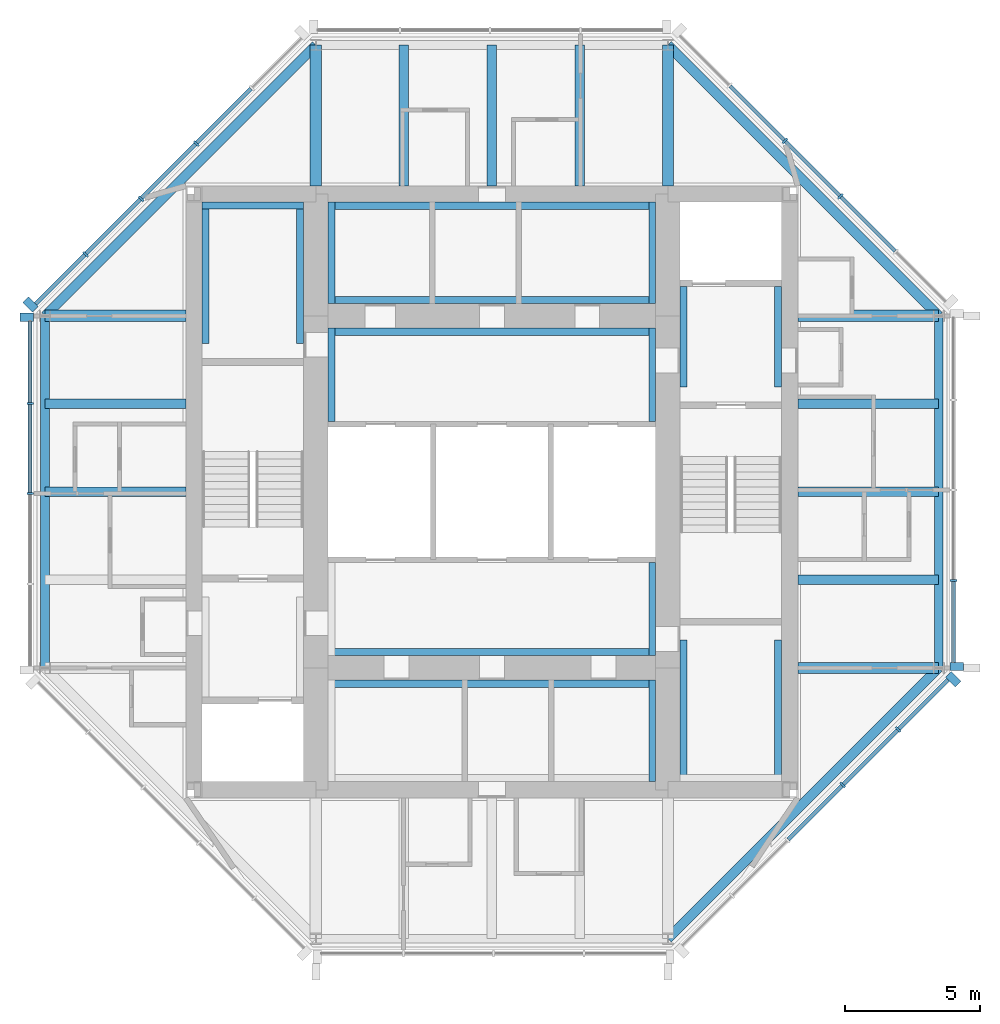
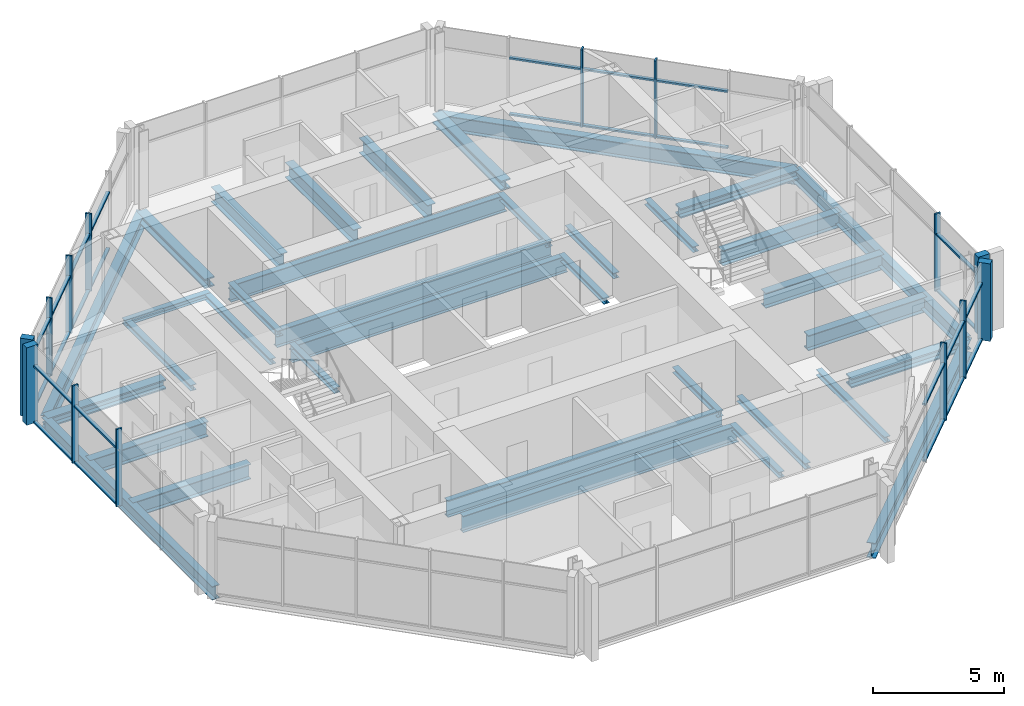
# One storey, part 2 of 9: 40 members, 36 beams, 5 elements without a shape of their own.
"""IFC4 building model written with IfcOpenShell, lengths in metres."""

from ifc_helpers import new_model, si_unit, direction, frame, origin, origin_2d, place, context, subcontext, project, spatial, rectangle, i_section, extrude, material, material_profile, profile_set, type_object, element, aggregate, save


model = new_model("IFC4")

# Units and contexts
model_context = context("Model", 3, precision=1e-05, world=origin(), true_north=direction((0.0, 1.0)))
body_context = subcontext(model_context, "Body", "Model", "MODEL_VIEW")
ifc_project = project(units=[si_unit("LENGTHUNIT", "METRE"), si_unit("AREAUNIT", "SQUARE_METRE"), si_unit("VOLUMEUNIT", "CUBIC_METRE"), si_unit("PLANEANGLEUNIT", "RADIAN"), si_unit("MASSUNIT", "GRAM", prefix="KILO")], contexts=[model_context])

# Site, building, storey
site_placement = place(None, origin())
site = spatial("IfcSite", under=ifc_project, at=site_placement, CompositionType="ELEMENT")
building_placement = place(site_placement, origin())
building = spatial("IfcBuilding", under=site, at=building_placement, Name="Trevanion Tower", CompositionType="ELEMENT")
storey_placement = place(building_placement, frame((0.0, 0.0, 277.60009765625)))
storey = spatial("IfcBuildingStorey", under=building, at=storey_placement, Name="L68", CompositionType="ELEMENT", Elevation=277.60009765625)

# Beams
ifc_material_1 = material(Name="Steel ASTM A992 Grade 50", Category="steel")
ifc_material_profile_1 = material_profile(ifc_material_1, i_section(OverallWidth=0.355712890625, OverallDepth=0.700927734375, WebThickness=0.016845703125, FlangeThickness=0.02734375, at=origin_2d()), Name="W27X161")
ifc_profile_set_1 = profile_set([ifc_material_profile_1], Name="Steel ASTM A992 Grade 50")
beam_type_1 = type_object("IfcBeamType", Name="B15 W27X161", PredefinedType="BEAM", material=ifc_profile_set_1)
for number, where, z_axis, x_axis, name in (
    (1, (11.300048828125, -3.25, -0.54052734375), (1.0, 0.0, 0.0), (0.0, 1.0, 0.0), "B15 L68"),
    (2, (11.300048828125, 0.0, -0.54052734375), (1.0, 0.0, 0.0), (0.0, 1.0, 0.0), "B15 L68"),
    (3, (11.300048828125, 3.25, -0.54052734375), (1.0, 0.0, 0.0), (0.0, 1.0, 0.0), "B15 L68"),
    (4, (3.25, 11.300048828125, -0.54052734375), (0.0, 1.0, 0.0), (-1.0, 0.0, 0.0), "B15 L68"),
    (5, (0.0, 11.300048828125, -0.54052734375), (0.0, 1.0, 0.0), (-1.0, 0.0, 0.0), "B15 L68"),
    (6, (-3.25, 11.300048828125, -0.54052734375), (0.0, 1.0, 0.0), (-1.0, 0.0, 0.0), "B15 L68"),
    (7, (-11.300048828125, 3.25, -0.54052734375), (-1.0, 0.0, 0.0), (0.0, -1.0, 0.0), "B15 L68"),
    (8, (-11.300048828125, 0.0, -0.54052734375), (-1.0, 0.0, 0.0), (0.0, -1.0, 0.0), "B15 L68"),
):
    element("IfcBeam", number, at=place(storey_placement, frame(where, z_axis=z_axis, x_axis=x_axis)), inside=storey, type_object=beam_type_1, Name=name, PredefinedType="BEAM", context=body_context, shape_type="SweptSolid", body=[
        extrude(i_section(OverallWidth=0.355712890625, OverallDepth=0.700927734375, WebThickness=0.016845703125, FlangeThickness=0.02734375, at=origin_2d()), origin(), (0.0, 0.0, 1.0), 5.199951171875),
    ])

# Curtain wall, member
ifc_material_2 = material(Name="Aluminium and glass", Category="aluminium")
curtain_wall_type = type_object("IfcCurtainWallType", Name="CW4 curtain wall", PredefinedType="USERDEFINED", material=ifc_material_2)
curtain_wall_1_placement = place(storey_placement, origin())
curtain_wall_1 = element("IfcCurtainWall", 9, at=curtain_wall_1_placement, inside=storey, type_object=curtain_wall_type, Name="CW4 L68 0", ObjectType="UNITISED CURTAIN WALL", PredefinedType="USERDEFINED")
ifc_material_3 = material(Name="Aluminium extrusion, anodised bronze", Category="aluminium")
ifc_material_profile_2 = material_profile(ifc_material_3, rectangle(XDim=0.074951171875, YDim=0.25, at=origin_2d()), Name="CW4 mullion")
ifc_profile_set_2 = profile_set([ifc_material_profile_2], Name="Aluminium extrusion, anodised bronze")
member_type_1 = type_object("IfcMemberType", Name="CW4 mullion", PredefinedType="MULLION", material=ifc_profile_set_2)
member_1_placement = place(storey_placement, frame((17.050048828125, -3.266357421875, -0.190185546875), z_axis=(0.0, 0.0, 1.0), x_axis=(0.0, 1.0, 0.0)))
member_1 = element("IfcMember", 10, at=member_1_placement, type_object=member_type_1, Name="CW4 mullion 2", PredefinedType="MULLION", context=body_context, shape_type="SweptSolid", body=[
    extrude(rectangle(XDim=0.074951171875, YDim=0.25, at=origin_2d()), origin(), (0.0, 0.0, 1.0), 3.60009765625),
])

# Curtain wall, members
curtain_wall_2_placement = place(storey_placement, origin())
curtain_wall_2 = element("IfcCurtainWall", 11, at=curtain_wall_2_placement, inside=storey, type_object=curtain_wall_type, Name="CW4 L68 1", ObjectType="UNITISED CURTAIN WALL", PredefinedType="USERDEFINED")
member_2_placement = place(storey_placement, frame((12.865966796875, 10.911865234375, -0.190185546875), z_axis=(0.0, 0.0, 1.0), x_axis=(-0.707106781187, 0.707106781187, 0.0)))
member_2 = element("IfcMember", 12, at=member_2_placement, type_object=member_type_1, Name="CW4 mullion 3", PredefinedType="MULLION", context=body_context, shape_type="SweptSolid", body=[
    extrude(rectangle(XDim=0.074951171875, YDim=0.25, at=origin_2d()), origin(), (0.0, 0.0, 1.0), 3.60009765625),
])
member_3_placement = place(storey_placement, frame((10.81982421875, 12.9580078125, -0.190185546875), z_axis=(0.0, 0.0, 1.0), x_axis=(-0.707106781187, 0.707106781187, 0.0)))
member_3 = element("IfcMember", 13, at=member_3_placement, type_object=member_type_1, Name="CW4 mullion 4", PredefinedType="MULLION", context=body_context, shape_type="SweptSolid", body=[
    extrude(rectangle(XDim=0.074951171875, YDim=0.25, at=origin_2d()), origin(), (0.0, 0.0, 1.0), 3.60009765625),
])

curtain_wall_3_placement = place(storey_placement, origin())
curtain_wall_3 = element("IfcCurtainWall", 14, at=curtain_wall_3_placement, inside=storey, type_object=curtain_wall_type, Name="CW4 L68 3", ObjectType="UNITISED CURTAIN WALL", PredefinedType="USERDEFINED")
member_4_placement = place(storey_placement, frame((-10.911865234375, 12.865966796875, -0.190185546875), z_axis=(0.0, 0.0, 1.0), x_axis=(-0.707106781187, -0.707106781187, 0.0)))
member_4 = element("IfcMember", 15, at=member_4_placement, type_object=member_type_1, Name="CW4 mullion 3", PredefinedType="MULLION", context=body_context, shape_type="SweptSolid", body=[
    extrude(rectangle(XDim=0.074951171875, YDim=0.25, at=origin_2d()), origin(), (0.0, 0.0, 1.0), 3.60009765625),
])
member_5_placement = place(storey_placement, frame((-12.9580078125, 10.81982421875, -0.190185546875), z_axis=(0.0, 0.0, 1.0), x_axis=(-0.707106781187, -0.707106781187, 0.0)))
member_5 = element("IfcMember", 16, at=member_5_placement, type_object=member_type_1, Name="CW4 mullion 4", PredefinedType="MULLION", context=body_context, shape_type="SweptSolid", body=[
    extrude(rectangle(XDim=0.074951171875, YDim=0.25, at=origin_2d()), origin(), (0.0, 0.0, 1.0), 3.60009765625),
])
member_6_placement = place(storey_placement, frame((-15.00390625, 8.77392578125, -0.190185546875), z_axis=(0.0, 0.0, 1.0), x_axis=(-0.707106781187, -0.707106781187, 0.0)))
member_6 = element("IfcMember", 17, at=member_6_placement, type_object=member_type_1, Name="CW4 mullion 5", PredefinedType="MULLION", context=body_context, shape_type="SweptSolid", body=[
    extrude(rectangle(XDim=0.074951171875, YDim=0.25, at=origin_2d()), origin(), (0.0, 0.0, 1.0), 3.60009765625),
])

curtain_wall_4_placement = place(storey_placement, origin())
curtain_wall_4 = element("IfcCurtainWall", 18, at=curtain_wall_4_placement, inside=storey, type_object=curtain_wall_type, Name="CW4 L68 4", ObjectType="UNITISED CURTAIN WALL", PredefinedType="USERDEFINED")
member_7_placement = place(storey_placement, frame((-17.050048828125, 3.266357421875, -0.190185546875), z_axis=(0.0, 0.0, 1.0), x_axis=(0.0, -1.0, 0.0)))
member_7 = element("IfcMember", 19, at=member_7_placement, type_object=member_type_1, Name="CW4 mullion 2", PredefinedType="MULLION", context=body_context, shape_type="SweptSolid", body=[
    extrude(rectangle(XDim=0.074951171875, YDim=0.25, at=origin_2d()), origin(), (0.0, 0.0, 1.0), 3.60009765625),
])
member_8_placement = place(storey_placement, frame((-17.050048828125, -0.06494140625, -0.190185546875), z_axis=(0.0, 0.0, 1.0), x_axis=(0.0, -1.0, 0.0)))
member_8 = element("IfcMember", 20, at=member_8_placement, type_object=member_type_1, Name="CW4 mullion 3", PredefinedType="MULLION", context=body_context, shape_type="SweptSolid", body=[
    extrude(rectangle(XDim=0.074951171875, YDim=0.25, at=origin_2d()), origin(), (0.0, 0.0, 1.0), 3.60009765625),
])

curtain_wall_5_placement = place(storey_placement, origin())
curtain_wall_5 = element("IfcCurtainWall", 21, at=curtain_wall_5_placement, inside=storey, type_object=curtain_wall_type, Name="CW4 L68 7", ObjectType="UNITISED CURTAIN WALL", PredefinedType="USERDEFINED")
member_9_placement = place(storey_placement, frame((12.9580078125, -10.81982421875, -0.190185546875), z_axis=(0.0, 0.0, 1.0), x_axis=(0.707106781187, 0.707106781187, 0.0)))
member_9 = element("IfcMember", 22, at=member_9_placement, type_object=member_type_1, Name="CW4 mullion 4", PredefinedType="MULLION", context=body_context, shape_type="SweptSolid", body=[
    extrude(rectangle(XDim=0.074951171875, YDim=0.25, at=origin_2d()), origin(), (0.0, 0.0, 1.0), 3.60009765625),
])
member_10_placement = place(storey_placement, frame((15.00390625, -8.77392578125, -0.190185546875), z_axis=(0.0, 0.0, 1.0), x_axis=(0.707106781187, 0.707106781187, 0.0)))
member_10 = element("IfcMember", 23, at=member_10_placement, type_object=member_type_1, Name="CW4 mullion 5", PredefinedType="MULLION", context=body_context, shape_type="SweptSolid", body=[
    extrude(rectangle(XDim=0.074951171875, YDim=0.25, at=origin_2d()), origin(), (0.0, 0.0, 1.0), 3.60009765625),
])

# Member
ifc_material_4 = material(Name="Aluminium extrusion, anodised bronze", Category="aluminium")
ifc_material_profile_3 = material_profile(ifc_material_4, rectangle(XDim=0.300048828125, YDim=0.5, at=origin_2d()), Name="CW4 pier mullion")
ifc_profile_set_3 = profile_set([ifc_material_profile_3], Name="Aluminium extrusion, anodised bronze")
member_type_2 = type_object("IfcMemberType", Name="CW4 pier mullion", PredefinedType="MULLION", material=ifc_profile_set_3)
member_11_placement = place(storey_placement, frame((17.175048828125, -6.44775390625, -0.190185546875), z_axis=(0.0, 0.0, 1.0), x_axis=(0.0, 1.0, 0.0)))
member_11 = element("IfcMember", 24, at=member_11_placement, type_object=member_type_2, Name="CW4 pier mullion 1", PredefinedType="MULLION", context=body_context, shape_type="SweptSolid", body=[
    extrude(rectangle(XDim=0.300048828125, YDim=0.5, at=origin_2d()), origin(), (0.0, 0.0, 1.0), 3.60009765625),
])

member_12_placement = place(storey_placement, frame((-17.0322265625, 6.92236328125, -0.190185546875), z_axis=(0.0, 0.0, 1.0), x_axis=(-0.707106781187, -0.707106781187, 0.0)))
member_12 = element("IfcMember", 25, at=member_12_placement, type_object=member_type_2, Name="CW4 pier mullion 6", PredefinedType="MULLION", context=body_context, shape_type="SweptSolid", body=[
    extrude(rectangle(XDim=0.300048828125, YDim=0.5, at=origin_2d()), origin(), (0.0, 0.0, 1.0), 3.60009765625),
])

member_13_placement = place(storey_placement, frame((-17.175048828125, 6.44775390625, -0.190185546875), z_axis=(0.0, 0.0, 1.0), x_axis=(0.0, -1.0, 0.0)))
member_13 = element("IfcMember", 26, at=member_13_placement, type_object=member_type_2, Name="CW4 pier mullion 1", PredefinedType="MULLION", context=body_context, shape_type="SweptSolid", body=[
    extrude(rectangle(XDim=0.300048828125, YDim=0.5, at=origin_2d()), origin(), (0.0, 0.0, 1.0), 3.60009765625),
])

member_14_placement = place(storey_placement, frame((17.0322265625, -6.92236328125, -0.190185546875), z_axis=(0.0, 0.0, 1.0), x_axis=(0.707106781187, 0.707106781187, 0.0)))
member_14 = element("IfcMember", 27, at=member_14_placement, type_object=member_type_2, Name="CW4 pier mullion 6", PredefinedType="MULLION", context=body_context, shape_type="SweptSolid", body=[
    extrude(rectangle(XDim=0.300048828125, YDim=0.5, at=origin_2d()), origin(), (0.0, 0.0, 1.0), 3.60009765625),
])

ifc_material_5 = material(Name="Aluminium extrusion, anodised bronze", Category="aluminium")
ifc_material_profile_4 = material_profile(ifc_material_5, rectangle(XDim=0.14990234375, YDim=0.074951171875, at=origin_2d()), Name="CW4 transom")
ifc_profile_set_4 = profile_set([ifc_material_profile_4], Name="Aluminium extrusion, anodised bronze")
member_type_3 = type_object("IfcMemberType", Name="CW4 transom", PredefinedType="USERDEFINED", material=ifc_profile_set_4)
member_15_placement = place(storey_placement, frame((17.050048828125, -6.2978515625, -0.152587890625), z_axis=(0.0, 1.0, 0.0), x_axis=(-1.0, 0.0, 0.0)))
member_15 = element("IfcMember", 28, at=member_15_placement, type_object=member_type_3, Name="CW4 transom 1.1", ObjectType="TRANSOM", PredefinedType="USERDEFINED", context=body_context, shape_type="SweptSolid", body=[
    extrude(rectangle(XDim=0.14990234375, YDim=0.074951171875, at=origin_2d()), origin(), (0.0, 0.0, 1.0), 2.993896484375),
])

member_16_placement = place(storey_placement, frame((17.050048828125, -6.2978515625, 2.4599609375), z_axis=(0.0, 1.0, 0.0), x_axis=(-1.0, 0.0, 0.0)))
member_16 = element("IfcMember", 29, at=member_16_placement, type_object=member_type_3, Name="CW4 transom 1.2", ObjectType="TRANSOM", PredefinedType="USERDEFINED", context=body_context, shape_type="SweptSolid", body=[
    extrude(rectangle(XDim=0.14990234375, YDim=0.074951171875, at=origin_2d()), origin(), (0.0, 0.0, 1.0), 2.993896484375),
])

aggregate(curtain_wall_1, [member_11, member_1, member_15, member_16])

member_17_placement = place(storey_placement, frame((14.885498046875, 8.892333984375, -0.152587890625), z_axis=(-0.707106781187, 0.707106781187, 0.0), x_axis=(-0.707106781187, -0.707106781187, 0.0)))
member_17 = element("IfcMember", 30, at=member_17_placement, type_object=member_type_3, Name="CW4 transom 2.1", ObjectType="TRANSOM", PredefinedType="USERDEFINED", context=body_context, shape_type="SweptSolid", body=[
    extrude(rectangle(XDim=0.14990234375, YDim=0.074951171875, at=origin_2d()), origin(), (0.0, 0.0, 1.0), 2.818359375),
])

member_18_placement = place(storey_placement, frame((14.885498046875, 8.892333984375, 2.4599609375), z_axis=(-0.707106781187, 0.707106781187, 0.0), x_axis=(-0.707106781187, -0.707106781187, 0.0)))
member_18 = element("IfcMember", 31, at=member_18_placement, type_object=member_type_3, Name="CW4 transom 2.2", ObjectType="TRANSOM", PredefinedType="USERDEFINED", context=body_context, shape_type="SweptSolid", body=[
    extrude(rectangle(XDim=0.14990234375, YDim=0.074951171875, at=origin_2d()), origin(), (0.0, 0.0, 1.0), 2.818359375),
])

member_19_placement = place(storey_placement, frame((12.839599609375, 10.9384765625, -0.152587890625), z_axis=(-0.707150088905, 0.707063470815, 0.0), x_axis=(-0.707063470815, -0.707150088905, 0.0)))
member_19 = element("IfcMember", 32, at=member_19_placement, type_object=member_type_3, Name="CW4 transom 3.1", ObjectType="TRANSOM", PredefinedType="USERDEFINED", context=body_context, shape_type="SweptSolid", body=[
    extrude(rectangle(XDim=0.14990234375, YDim=0.074951171875, at=origin_2d()), origin(), (0.0, 0.0, 1.0), 2.818603515625),
])

member_20_placement = place(storey_placement, frame((12.839599609375, 10.9384765625, 2.4599609375), z_axis=(-0.707150088905, 0.707063470815, 0.0), x_axis=(-0.707063470815, -0.707150088905, 0.0)))
member_20 = element("IfcMember", 33, at=member_20_placement, type_object=member_type_3, Name="CW4 transom 3.2", ObjectType="TRANSOM", PredefinedType="USERDEFINED", context=body_context, shape_type="SweptSolid", body=[
    extrude(rectangle(XDim=0.14990234375, YDim=0.074951171875, at=origin_2d()), origin(), (0.0, 0.0, 1.0), 2.818603515625),
])

member_21_placement = place(storey_placement, frame((10.79345703125, 12.984375, -0.152587890625), z_axis=(-0.707150088905, 0.707063470815, 0.0), x_axis=(-0.707063470815, -0.707150088905, 0.0)))
member_21 = element("IfcMember", 34, at=member_21_placement, type_object=member_type_3, Name="CW4 transom 4.1", ObjectType="TRANSOM", PredefinedType="USERDEFINED", context=body_context, shape_type="SweptSolid", body=[
    extrude(rectangle(XDim=0.14990234375, YDim=0.074951171875, at=origin_2d()), origin(), (0.0, 0.0, 1.0), 2.818603515625),
])

member_22_placement = place(storey_placement, frame((10.79345703125, 12.984375, 2.4599609375), z_axis=(-0.707150088905, 0.707063470815, 0.0), x_axis=(-0.707063470815, -0.707150088905, 0.0)))
member_22 = element("IfcMember", 35, at=member_22_placement, type_object=member_type_3, Name="CW4 transom 4.2", ObjectType="TRANSOM", PredefinedType="USERDEFINED", context=body_context, shape_type="SweptSolid", body=[
    extrude(rectangle(XDim=0.14990234375, YDim=0.074951171875, at=origin_2d()), origin(), (0.0, 0.0, 1.0), 2.818603515625),
])

aggregate(curtain_wall_2, [member_2, member_3, member_17, member_18, member_19, member_20, member_21, member_22])

member_23_placement = place(storey_placement, frame((-8.892333984375, 14.885498046875, -0.152587890625), z_axis=(-0.707106781187, -0.707106781187, 0.0), x_axis=(0.707106781187, -0.707106781187, 0.0)))
member_23 = element("IfcMember", 36, at=member_23_placement, type_object=member_type_3, Name="CW4 transom 2.1", ObjectType="TRANSOM", PredefinedType="USERDEFINED", context=body_context, shape_type="SweptSolid", body=[
    extrude(rectangle(XDim=0.14990234375, YDim=0.074951171875, at=origin_2d()), origin(), (0.0, 0.0, 1.0), 2.818359375),
])

member_24_placement = place(storey_placement, frame((-8.892333984375, 14.885498046875, 2.4599609375), z_axis=(-0.707106781187, -0.707106781187, 0.0), x_axis=(0.707106781187, -0.707106781187, 0.0)))
member_24 = element("IfcMember", 37, at=member_24_placement, type_object=member_type_3, Name="CW4 transom 2.2", ObjectType="TRANSOM", PredefinedType="USERDEFINED", context=body_context, shape_type="SweptSolid", body=[
    extrude(rectangle(XDim=0.14990234375, YDim=0.074951171875, at=origin_2d()), origin(), (0.0, 0.0, 1.0), 2.818359375),
])

member_25_placement = place(storey_placement, frame((-10.9384765625, 12.839599609375, -0.152587890625), z_axis=(-0.707063470815, -0.707150088905, 0.0), x_axis=(0.707150088905, -0.707063470815, 0.0)))
member_25 = element("IfcMember", 38, at=member_25_placement, type_object=member_type_3, Name="CW4 transom 3.1", ObjectType="TRANSOM", PredefinedType="USERDEFINED", context=body_context, shape_type="SweptSolid", body=[
    extrude(rectangle(XDim=0.14990234375, YDim=0.074951171875, at=origin_2d()), origin(), (0.0, 0.0, 1.0), 2.818603515625),
])

member_26_placement = place(storey_placement, frame((-10.9384765625, 12.839599609375, 2.4599609375), z_axis=(-0.707063470815, -0.707150088905, 0.0), x_axis=(0.707150088905, -0.707063470815, 0.0)))
member_26 = element("IfcMember", 39, at=member_26_placement, type_object=member_type_3, Name="CW4 transom 3.2", ObjectType="TRANSOM", PredefinedType="USERDEFINED", context=body_context, shape_type="SweptSolid", body=[
    extrude(rectangle(XDim=0.14990234375, YDim=0.074951171875, at=origin_2d()), origin(), (0.0, 0.0, 1.0), 2.818603515625),
])

member_27_placement = place(storey_placement, frame((-12.984375, 10.79345703125, -0.152587890625), z_axis=(-0.707063470815, -0.707150088905, 0.0), x_axis=(0.707150088905, -0.707063470815, 0.0)))
member_27 = element("IfcMember", 40, at=member_27_placement, type_object=member_type_3, Name="CW4 transom 4.1", ObjectType="TRANSOM", PredefinedType="USERDEFINED", context=body_context, shape_type="SweptSolid", body=[
    extrude(rectangle(XDim=0.14990234375, YDim=0.074951171875, at=origin_2d()), origin(), (0.0, 0.0, 1.0), 2.818603515625),
])

member_28_placement = place(storey_placement, frame((-12.984375, 10.79345703125, 2.4599609375), z_axis=(-0.707063470815, -0.707150088905, 0.0), x_axis=(0.707150088905, -0.707063470815, 0.0)))
member_28 = element("IfcMember", 41, at=member_28_placement, type_object=member_type_3, Name="CW4 transom 4.2", ObjectType="TRANSOM", PredefinedType="USERDEFINED", context=body_context, shape_type="SweptSolid", body=[
    extrude(rectangle(XDim=0.14990234375, YDim=0.074951171875, at=origin_2d()), origin(), (0.0, 0.0, 1.0), 2.818603515625),
])

member_29_placement = place(storey_placement, frame((-15.030517578125, 8.747314453125, -0.152587890625), z_axis=(-0.707106781187, -0.707106781187, 0.0), x_axis=(0.707106781187, -0.707106781187, 0.0)))
member_29 = element("IfcMember", 42, at=member_29_placement, type_object=member_type_3, Name="CW4 transom 5.1", ObjectType="TRANSOM", PredefinedType="USERDEFINED", context=body_context, shape_type="SweptSolid", body=[
    extrude(rectangle(XDim=0.14990234375, YDim=0.074951171875, at=origin_2d()), origin(), (0.0, 0.0, 1.0), 2.555908203125),
])

member_30_placement = place(storey_placement, frame((-15.030517578125, 8.747314453125, 2.4599609375), z_axis=(-0.707106781187, -0.707106781187, 0.0), x_axis=(0.707106781187, -0.707106781187, 0.0)))
member_30 = element("IfcMember", 43, at=member_30_placement, type_object=member_type_3, Name="CW4 transom 5.2", ObjectType="TRANSOM", PredefinedType="USERDEFINED", context=body_context, shape_type="SweptSolid", body=[
    extrude(rectangle(XDim=0.14990234375, YDim=0.074951171875, at=origin_2d()), origin(), (0.0, 0.0, 1.0), 2.555908203125),
])

aggregate(curtain_wall_3, [member_4, member_5, member_6, member_12, member_23, member_24, member_25, member_26, member_27, member_28, member_29, member_30])

member_31_placement = place(storey_placement, frame((-17.050048828125, 6.2978515625, -0.152587890625), z_axis=(0.0, -1.0, 0.0), x_axis=(1.0, 0.0, 0.0)))
member_31 = element("IfcMember", 44, at=member_31_placement, type_object=member_type_3, Name="CW4 transom 1.1", ObjectType="TRANSOM", PredefinedType="USERDEFINED", context=body_context, shape_type="SweptSolid", body=[
    extrude(rectangle(XDim=0.14990234375, YDim=0.074951171875, at=origin_2d()), origin(), (0.0, 0.0, 1.0), 2.993896484375),
])

member_32_placement = place(storey_placement, frame((-17.050048828125, 6.2978515625, 2.4599609375), z_axis=(0.0, -1.0, 0.0), x_axis=(1.0, 0.0, 0.0)))
member_32 = element("IfcMember", 45, at=member_32_placement, type_object=member_type_3, Name="CW4 transom 1.2", ObjectType="TRANSOM", PredefinedType="USERDEFINED", context=body_context, shape_type="SweptSolid", body=[
    extrude(rectangle(XDim=0.14990234375, YDim=0.074951171875, at=origin_2d()), origin(), (0.0, 0.0, 1.0), 2.993896484375),
])

member_33_placement = place(storey_placement, frame((-17.050048828125, 3.22900390625, -0.152587890625), z_axis=(0.0, -1.0, 0.0), x_axis=(1.0, 0.0, 0.0)))
member_33 = element("IfcMember", 46, at=member_33_placement, type_object=member_type_3, Name="CW4 transom 2.1", ObjectType="TRANSOM", PredefinedType="USERDEFINED", context=body_context, shape_type="SweptSolid", body=[
    extrude(rectangle(XDim=0.14990234375, YDim=0.074951171875, at=origin_2d()), origin(), (0.0, 0.0, 1.0), 3.256591796875),
])

member_34_placement = place(storey_placement, frame((-17.050048828125, 3.22900390625, 2.4599609375), z_axis=(0.0, -1.0, 0.0), x_axis=(1.0, 0.0, 0.0)))
member_34 = element("IfcMember", 47, at=member_34_placement, type_object=member_type_3, Name="CW4 transom 2.2", ObjectType="TRANSOM", PredefinedType="USERDEFINED", context=body_context, shape_type="SweptSolid", body=[
    extrude(rectangle(XDim=0.14990234375, YDim=0.074951171875, at=origin_2d()), origin(), (0.0, 0.0, 1.0), 3.256591796875),
])

aggregate(curtain_wall_4, [member_13, member_7, member_8, member_31, member_32, member_33, member_34])

member_35_placement = place(storey_placement, frame((10.9384765625, -12.839599609375, -0.152587890625), z_axis=(0.707063470815, 0.707150088905, 0.0), x_axis=(-0.707150088905, 0.707063470815, 0.0)))
member_35 = element("IfcMember", 48, at=member_35_placement, type_object=member_type_3, Name="CW4 transom 3.1", ObjectType="TRANSOM", PredefinedType="USERDEFINED", context=body_context, shape_type="SweptSolid", body=[
    extrude(rectangle(XDim=0.14990234375, YDim=0.074951171875, at=origin_2d()), origin(), (0.0, 0.0, 1.0), 2.818603515625),
])

member_36_placement = place(storey_placement, frame((10.9384765625, -12.839599609375, 2.4599609375), z_axis=(0.707063470815, 0.707150088905, 0.0), x_axis=(-0.707150088905, 0.707063470815, 0.0)))
member_36 = element("IfcMember", 49, at=member_36_placement, type_object=member_type_3, Name="CW4 transom 3.2", ObjectType="TRANSOM", PredefinedType="USERDEFINED", context=body_context, shape_type="SweptSolid", body=[
    extrude(rectangle(XDim=0.14990234375, YDim=0.074951171875, at=origin_2d()), origin(), (0.0, 0.0, 1.0), 2.818603515625),
])

member_37_placement = place(storey_placement, frame((12.984375, -10.79345703125, -0.152587890625), z_axis=(0.707063470815, 0.707150088905, 0.0), x_axis=(-0.707150088905, 0.707063470815, 0.0)))
member_37 = element("IfcMember", 50, at=member_37_placement, type_object=member_type_3, Name="CW4 transom 4.1", ObjectType="TRANSOM", PredefinedType="USERDEFINED", context=body_context, shape_type="SweptSolid", body=[
    extrude(rectangle(XDim=0.14990234375, YDim=0.074951171875, at=origin_2d()), origin(), (0.0, 0.0, 1.0), 2.818603515625),
])

member_38_placement = place(storey_placement, frame((12.984375, -10.79345703125, 2.4599609375), z_axis=(0.707063470815, 0.707150088905, 0.0), x_axis=(-0.707150088905, 0.707063470815, 0.0)))
member_38 = element("IfcMember", 51, at=member_38_placement, type_object=member_type_3, Name="CW4 transom 4.2", ObjectType="TRANSOM", PredefinedType="USERDEFINED", context=body_context, shape_type="SweptSolid", body=[
    extrude(rectangle(XDim=0.14990234375, YDim=0.074951171875, at=origin_2d()), origin(), (0.0, 0.0, 1.0), 2.818603515625),
])

member_39_placement = place(storey_placement, frame((15.030517578125, -8.747314453125, -0.152587890625), z_axis=(0.707106781187, 0.707106781187, 0.0), x_axis=(-0.707106781187, 0.707106781187, 0.0)))
member_39 = element("IfcMember", 52, at=member_39_placement, type_object=member_type_3, Name="CW4 transom 5.1", ObjectType="TRANSOM", PredefinedType="USERDEFINED", context=body_context, shape_type="SweptSolid", body=[
    extrude(rectangle(XDim=0.14990234375, YDim=0.074951171875, at=origin_2d()), origin(), (0.0, 0.0, 1.0), 2.555908203125),
])

member_40_placement = place(storey_placement, frame((15.030517578125, -8.747314453125, 2.4599609375), z_axis=(0.707106781187, 0.707106781187, 0.0), x_axis=(-0.707106781187, 0.707106781187, 0.0)))
member_40 = element("IfcMember", 53, at=member_40_placement, type_object=member_type_3, Name="CW4 transom 5.2", ObjectType="TRANSOM", PredefinedType="USERDEFINED", context=body_context, shape_type="SweptSolid", body=[
    extrude(rectangle(XDim=0.14990234375, YDim=0.074951171875, at=origin_2d()), origin(), (0.0, 0.0, 1.0), 2.555908203125),
])

aggregate(curtain_wall_5, [member_9, member_10, member_14, member_35, member_36, member_37, member_38, member_39, member_40])

# Beams
ifc_material_6 = material(Name="Steel ASTM A992 Grade 50", Category="steel")
ifc_material_profile_5 = material_profile(ifc_material_6, i_section(OverallWidth=0.41650390625, OverallDepth=0.444580078125, WebThickness=0.0390625, FlangeThickness=0.062744140625, at=origin_2d()), Name="W14X342")
ifc_profile_set_5 = profile_set([ifc_material_profile_5], Name="Steel ASTM A992 Grade 50")
beam_type_2 = type_object("IfcBeamType", Name="G8 W14X342", PredefinedType="BEAM", material=ifc_profile_set_5)
for number, where, z_axis, x_axis, name in (
    (54, (11.300048828125, -6.5, -0.412353515625), (1.0, 0.0, 0.0), (0.0, 1.0, 0.0), "G8 L68"),
    (55, (11.300048828125, 6.5, -0.412353515625), (1.0, 0.0, 0.0), (0.0, 1.0, 0.0), "G8 L68"),
    (56, (6.5, 11.300048828125, -0.412353515625), (0.0, 1.0, 0.0), (-1.0, 0.0, 0.0), "G8 L68"),
    (57, (-6.5, 11.300048828125, -0.412353515625), (0.0, 1.0, 0.0), (-1.0, 0.0, 0.0), "G8 L68"),
    (58, (-11.300048828125, 6.5, -0.412353515625), (-1.0, 0.0, 0.0), (0.0, -1.0, 0.0), "G8 L68"),
):
    element("IfcBeam", number, at=place(storey_placement, frame(where, z_axis=z_axis, x_axis=x_axis)), inside=storey, type_object=beam_type_2, Name=name, PredefinedType="BEAM", context=body_context, shape_type="SweptSolid", body=[
        extrude(i_section(OverallWidth=0.41650390625, OverallDepth=0.444580078125, WebThickness=0.0390625, FlangeThickness=0.062744140625, at=origin_2d()), origin(), (0.0, 0.0, 1.0), 5.199951171875),
    ])
ifc_material_7 = material(Name="Steel ASTM A992 Grade 50", Category="steel")
ifc_material_profile_6 = material_profile(ifc_material_7, i_section(OverallWidth=0.256591796875, OverallDepth=0.26416015625, WebThickness=0.011962890625, FlangeThickness=0.01953125, at=origin_2d()), Name="W10X68")
ifc_profile_set_6 = profile_set([ifc_material_profile_6], Name="Steel ASTM A992 Grade 50")
beam_type_3 = type_object("IfcBeamType", Name="LB1 W10X68", PredefinedType="BEAM", material=ifc_profile_set_6)
for number, where, z_axis, x_axis, name in (
    (59, (-5.921630859375, 2.60009765625, -0.332275390625), (0.0, 1.0, 0.0), (-1.0, 0.0, 0.0), "LB1 L68"),
    (60, (5.921630859375, 2.60009765625, -0.332275390625), (0.0, 1.0, 0.0), (-1.0, 0.0, 0.0), "LB1 L68"),
    (61, (5.921630859375, -6.050048828125, -0.332275390625), (0.0, 1.0, 0.0), (-1.0, 0.0, 0.0), "LB1 L68"),
):
    element("IfcBeam", number, at=place(storey_placement, frame(where, z_axis=z_axis, x_axis=x_axis)), inside=storey, type_object=beam_type_3, Name=name, PredefinedType="BEAM", context=body_context, shape_type="SweptSolid", body=[
        extrude(i_section(OverallWidth=0.256591796875, OverallDepth=0.26416015625, WebThickness=0.011962890625, FlangeThickness=0.01953125, at=origin_2d()), origin(), (0.0, 0.0, 1.0), 3.449951171875),
    ])
for number, where, z_axis, x_axis, name in (
    (62, (7.078369140625, 3.875, -0.332275390625), (0.0, 1.0, 0.0), (-1.0, 0.0, 0.0), "LB1 L68"),
    (63, (10.57177734375, 3.875, -0.332275390625), (0.0, 1.0, 0.0), (-1.0, 0.0, 0.0), "LB1 L68"),
):
    element("IfcBeam", number, at=place(storey_placement, frame(where, z_axis=z_axis, x_axis=x_axis)), inside=storey, type_object=beam_type_3, Name=name, PredefinedType="BEAM", context=body_context, shape_type="SweptSolid", body=[
        extrude(i_section(OverallWidth=0.256591796875, OverallDepth=0.26416015625, WebThickness=0.011962890625, FlangeThickness=0.01953125, at=origin_2d()), origin(), (0.0, 0.0, 1.0), 3.699951171875),
    ])
for number, where, z_axis, x_axis, name in (
    (64, (7.078369140625, -10.699951171875, -0.332275390625), (0.0, 1.0, 0.0), (-1.0, 0.0, 0.0), "LB1 L68"),
    (65, (10.57177734375, -10.699951171875, -0.332275390625), (0.0, 1.0, 0.0), (-1.0, 0.0, 0.0), "LB1 L68"),
    (66, (-10.57177734375, 5.47509765625, -0.332275390625), (0.0, 1.0, 0.0), (-1.0, 0.0, 0.0), "LB1 L68"),
    (67, (-7.078369140625, 5.47509765625, -0.332275390625), (0.0, 1.0, 0.0), (-1.0, 0.0, 0.0), "LB1 L68"),
):
    element("IfcBeam", number, at=place(storey_placement, frame(where, z_axis=z_axis, x_axis=x_axis)), inside=storey, type_object=beam_type_3, Name=name, PredefinedType="BEAM", context=body_context, shape_type="SweptSolid", body=[
        extrude(i_section(OverallWidth=0.256591796875, OverallDepth=0.26416015625, WebThickness=0.011962890625, FlangeThickness=0.01953125, at=origin_2d()), origin(), (0.0, 0.0, 1.0), 5.224853515625),
    ])
for number, where, z_axis, x_axis, name in (
    (68, (-10.699951171875, 10.57177734375, -0.332275390625), (1.0, 0.0, 0.0), (0.0, 1.0, 0.0), "LB1 L68"),
    (69, (-5.921630859375, 6.949951171875, -0.332275390625), (0.0, 1.0, 0.0), (-1.0, 0.0, 0.0), "LB1 L68"),
    (70, (5.921630859375, 6.949951171875, -0.332275390625), (0.0, 1.0, 0.0), (-1.0, 0.0, 0.0), "LB1 L68"),
    (71, (5.921630859375, -10.699951171875, -0.332275390625), (0.0, 1.0, 0.0), (-1.0, 0.0, 0.0), "LB1 L68"),
):
    element("IfcBeam", number, at=place(storey_placement, frame(where, z_axis=z_axis, x_axis=x_axis)), inside=storey, type_object=beam_type_3, Name=name, PredefinedType="BEAM", context=body_context, shape_type="SweptSolid", body=[
        extrude(i_section(OverallWidth=0.256591796875, OverallDepth=0.26416015625, WebThickness=0.011962890625, FlangeThickness=0.01953125, at=origin_2d()), origin(), (0.0, 0.0, 1.0), 3.75),
    ])
ifc_material_8 = material(Name="Steel ASTM A992 Grade 50", Category="steel")
ifc_material_profile_7 = material_profile(ifc_material_8, i_section(OverallWidth=0.2666015625, OverallDepth=0.76953125, WebThickness=0.015625, FlangeThickness=0.025390625, at=origin_2d()), Name="W30X132")
ifc_profile_set_7 = profile_set([ifc_material_profile_7], Name="Steel ASTM A992 Grade 50")
beam_type_4 = type_object("IfcBeamType", Name="LB3 W30X132", PredefinedType="BEAM", material=ifc_profile_set_7)
for number, where, z_axis, x_axis, name in (
    (72, (-6.050048828125, 5.91650390625, -0.5849609375), (1.0, 0.0, 0.0), (0.0, 1.0, 0.0), "LB3 L68"),
    (73, (-6.050048828125, -5.91650390625, -0.5849609375), (1.0, 0.0, 0.0), (0.0, 1.0, 0.0), "LB3 L68"),
    (74, (-6.050048828125, 7.08349609375, -0.5849609375), (1.0, 0.0, 0.0), (0.0, 1.0, 0.0), "LB3 L68"),
    (75, (-6.050048828125, 10.566650390625, -0.5849609375), (1.0, 0.0, 0.0), (0.0, 1.0, 0.0), "LB3 L68"),
    (76, (-6.050048828125, -7.08349609375, -0.5849609375), (1.0, 0.0, 0.0), (0.0, 1.0, 0.0), "LB3 L68"),
):
    element("IfcBeam", number, at=place(storey_placement, frame(where, z_axis=z_axis, x_axis=x_axis)), inside=storey, type_object=beam_type_4, Name=name, PredefinedType="BEAM", context=body_context, shape_type="SweptSolid", body=[
        extrude(i_section(OverallWidth=0.2666015625, OverallDepth=0.76953125, WebThickness=0.015625, FlangeThickness=0.025390625, at=origin_2d()), origin(), (0.0, 0.0, 1.0), 12.10009765625),
    ])
ifc_material_9 = material(Name="Steel ASTM A992 Grade 50", Category="steel")
ifc_material_profile_8 = material_profile(ifc_material_9, i_section(OverallWidth=0.32763671875, OverallDepth=0.622314453125, WebThickness=0.015380859375, FlangeThickness=0.0244140625, at=origin_2d()), Name="W24X131")
ifc_profile_set_8 = profile_set([ifc_material_profile_8], Name="Steel ASTM A992 Grade 50")
beam_type_5 = type_object("IfcBeamType", Name="SB12 W24X131", PredefinedType="SPANDREL", material=ifc_profile_set_8)
for number, where, z_axis, x_axis, name in (
    (77, (16.5, -6.5, -0.501220703125), (0.0, 1.0, 0.0), (-1.0, 0.0, 0.0), "SB12 L68"),
    (78, (-16.5, 6.5, -0.501220703125), (0.0, -1.0, 0.0), (1.0, 0.0, 0.0), "SB12 L68"),
):
    element("IfcBeam", number, at=place(storey_placement, frame(where, z_axis=z_axis, x_axis=x_axis)), inside=storey, type_object=beam_type_5, Name=name, PredefinedType="SPANDREL", context=body_context, shape_type="SweptSolid", body=[
        extrude(i_section(OverallWidth=0.32763671875, OverallDepth=0.622314453125, WebThickness=0.015380859375, FlangeThickness=0.0244140625, at=origin_2d()), origin(), (0.0, 0.0, 1.0), 13.0),
    ])
ifc_material_10 = material(Name="Steel ASTM A992 Grade 50", Category="steel")
ifc_material_profile_9 = material_profile(ifc_material_10, i_section(OverallWidth=0.358154296875, OverallDepth=0.7060546875, WebThickness=0.018310546875, FlangeThickness=0.0302734375, at=origin_2d()), Name="W27X178")
ifc_profile_set_9 = profile_set([ifc_material_profile_9], Name="Steel ASTM A992 Grade 50")
beam_type_6 = type_object("IfcBeamType", Name="SB13 W27X178", PredefinedType="SPANDREL", material=ifc_profile_set_9)
for number, where, z_axis, x_axis, name in (
    (79, (16.5, 6.5, -0.543212890625), (-0.707106781187, 0.707106781187, 0.0), (-0.707106781187, -0.707106781187, 0.0), "SB13 L68"),
    (80, (-6.5, 16.5, -0.543212890625), (-0.707106781187, -0.707106781187, 0.0), (0.707106781187, -0.707106781187, 0.0), "SB13 L68"),
    (81, (6.5, -16.5, -0.543212890625), (0.707106781187, 0.707106781187, 0.0), (-0.707106781187, 0.707106781187, 0.0), "SB13 L68"),
):
    element("IfcBeam", number, at=place(storey_placement, frame(where, z_axis=z_axis, x_axis=x_axis)), inside=storey, type_object=beam_type_6, Name=name, PredefinedType="SPANDREL", context=body_context, shape_type="SweptSolid", body=[
        extrude(i_section(OverallWidth=0.358154296875, OverallDepth=0.7060546875, WebThickness=0.018310546875, FlangeThickness=0.0302734375, at=origin_2d()), origin(), (0.0, 0.0, 1.0), 14.14208984375),
    ])

save(model, "model.ifc")
